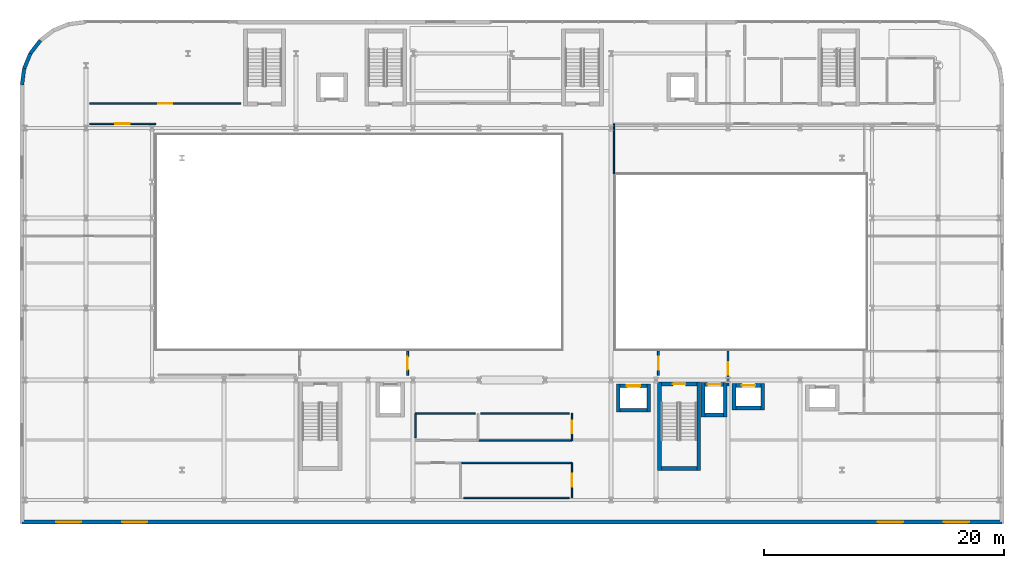
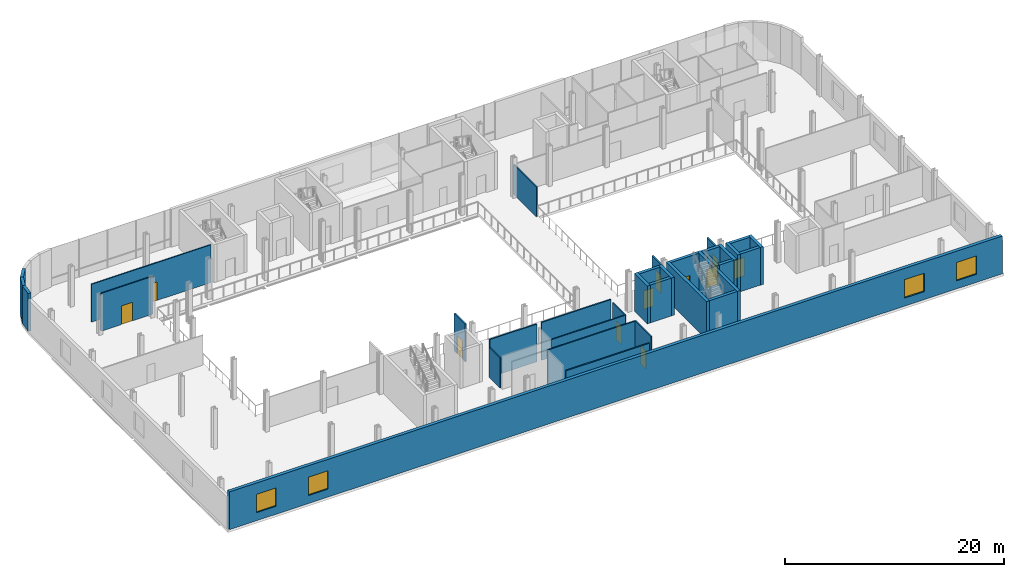
# One storey, part 17 of 25: 34 walls, 11 doors, 4 windows, 15 openings.
"""IFC4 building model written with IfcOpenShell, lengths in metres."""

from ifc_helpers import new_model, si_unit, direction, frame, frame_2d, origin, place, context, subcontext, project, spatial, rectangle, extrude, material, layer, layer_set, type_object, element, fill, save


model = new_model("IFC4")

# Units and contexts
model_context = context("Model", 3, precision=1e-05, world=origin(), true_north=direction((0.0, 1.0)))
body_context = subcontext(model_context, "Body", "Model", "MODEL_VIEW")
ifc_project = project(units=[si_unit("LENGTHUNIT", "METRE"), si_unit("AREAUNIT", "SQUARE_METRE"), si_unit("VOLUMEUNIT", "CUBIC_METRE"), si_unit("PLANEANGLEUNIT", "RADIAN"), si_unit("MASSUNIT", "GRAM", prefix="KILO")], contexts=[model_context])

# Site, building, storey
site_placement = place(None, origin())
site = spatial("IfcSite", under=ifc_project, at=site_placement, CompositionType="ELEMENT")
building_placement = place(site_placement, origin())
building = spatial("IfcBuilding", under=site, at=building_placement, Name="Brevholm Reach", CompositionType="ELEMENT")
storey_placement = place(building_placement, frame((0.0, 0.0, 9.0)))
storey = spatial("IfcBuildingStorey", under=building, at=storey_placement, Name="L02", CompositionType="ELEMENT", Elevation=9.0)

# Walls
ifc_material_1 = material(Name="Concrete C60/75", Category="concrete")
ifc_layer_1 = layer(ifc_material_1, 0.320068359375)
ifc_layer_set_1 = layer_set([ifc_layer_1], Name="Concrete C60/75")
wall_type_1 = type_object("IfcWallType", Name="WAL-COR-320", PredefinedType="SHEAR", material=ifc_layer_set_1)
for number, where, z_axis, x_axis, name in (
    (1, (42.2900390625, 2.4599609375, 0.0), (0.0, 0.0, 1.0), (0.0, 1.0, 0.0), "L02 Escape Stair ST-2 Core Wall W"),
    (2, (45.56005859375, 2.4599609375, 0.0), (0.0, 0.0, 1.0), (0.0, 1.0, 0.0), "L02 Escape Stair ST-2 Core Wall E"),
):
    element("IfcWall", number, at=place(storey_placement, frame(where, z_axis=z_axis, x_axis=x_axis)), inside=storey, type_object=wall_type_1, Name=name, PredefinedType="SHEAR", context=body_context, shape_type="SweptSolid", body=[
        extrude(rectangle(XDim=7.360107421875, YDim=0.320068359375, at=frame_2d((3.68017578125, 0.0))), origin(), (0.0, 0.0, 1.0), 4.219970703125),
    ])
wall_1_placement = place(storey_placement, frame((42.449951171875, 2.6201171875, 0.0), z_axis=(0.0, 0.0, 1.0), x_axis=(1.0, 0.0, 0.0)))
element("IfcWall", 3, at=wall_1_placement, inside=storey, type_object=wall_type_1, Name="L02 Escape Stair ST-2 Core Wall S", PredefinedType="SHEAR", context=body_context, shape_type="SweptSolid", body=[
    extrude(rectangle(XDim=2.949951171875, YDim=0.320068359375, at=frame_2d((1.47509765625, 0.0))), origin(), (0.0, 0.0, 1.0), 4.219970703125),
])

# Wall, opening, door
wall_2_placement = place(storey_placement, frame((45.39990234375, 9.659912109375, 0.0), z_axis=(0.0, 0.0, 1.0), x_axis=(-1.0, 0.0, 0.0)))
wall_2 = element("IfcWall", 4, at=wall_2_placement, inside=storey, type_object=wall_type_1, Name="L02 Escape Stair ST-2 Core Wall N", PredefinedType="SHEAR", context=body_context, shape_type="SweptSolid", body=[
    extrude(rectangle(XDim=2.949951171875, YDim=0.320068359375, at=frame_2d((1.47509765625, 0.0))), origin(), (0.0, 0.0, 1.0), 4.219970703125),
])
opening_1_placement = place(wall_2_placement, frame((0.949951171875, 0.0, 0.0)))
opening_1 = element("IfcOpeningElement", 5, at=opening_1_placement, cuts=wall_2, Name="Opening SD-ST-2", PredefinedType="OPENING", context=body_context, shape_type="SweptSolid", body=[
    extrude(rectangle(XDim=1.050048828125, YDim=2.06005859375, at=frame_2d((0.52490234375, 1.030029296875))), frame((0.0, 0.169921875, 0.0), z_axis=(0.0, -1.0, 0.0), x_axis=(1.0, 0.0, 0.0)), (0.0, 0.0, 1.0), 0.340087890625),
])
ifc_material_2 = material(Name="Hardwood-Lipped Steel-Core Fire and Smoke Door", Category="steel")
door_type_1 = type_object("IfcDoorType", Name="DOR-INT-FD60S", OperationType="NOTDEFINED", PredefinedType="DOOR", material=ifc_material_2)
door_1_placement = place(opening_1_placement, origin())
door_1 = element("IfcDoor", 6, at=door_1_placement, inside=storey, type_object=door_type_1, Name="L02 Protected Stair ST-2 Lobby Door", OperationType="SINGLE_SWING_LEFT", OverallHeight=2.06005859375, OverallWidth=1.050048828125, PredefinedType="DOOR", context=body_context, shape_type="SweptSolid", body=[
    extrude(rectangle(XDim=1.050048828125, YDim=2.06005859375, at=frame_2d((0.52490234375, 1.030029296875))), frame((0.0, 0.02490234375, 0.0), z_axis=(0.0, -1.0, 0.0), x_axis=(1.0, 0.0, 0.0)), (0.0, 0.0, 1.0), 0.050048828125),
])
fill(opening_1, door_1)

# Walls
for number, where, z_axis, x_axis, name in (
    (7, (45.929931640625, 6.919921875, 0.0), (0.0, 0.0, 1.0), (0.0, 1.0, 0.0), "L02 Lift FFL-2 Shaft Wall W"),
    (8, (47.77001953125, 6.919921875, 0.0), (0.0, 0.0, 1.0), (0.0, 1.0, 0.0), "L02 Lift FFL-2 Shaft Wall E"),
):
    element("IfcWall", number, at=place(storey_placement, frame(where, z_axis=z_axis, x_axis=x_axis)), inside=storey, type_object=wall_type_1, Name=name, PredefinedType="SHEAR", context=body_context, shape_type="SweptSolid", body=[
        extrude(rectangle(XDim=2.860107421875, YDim=0.320068359375, at=frame_2d((1.43017578125, 0.0))), origin(), (0.0, 0.0, 1.0), 4.219970703125),
    ])
wall_3_placement = place(storey_placement, frame((46.090087890625, 7.080078125, 0.0), z_axis=(0.0, 0.0, 1.0), x_axis=(1.0, 0.0, 0.0)))
element("IfcWall", 9, at=wall_3_placement, inside=storey, type_object=wall_type_1, Name="L02 Lift FFL-2 Shaft Wall S", PredefinedType="SHEAR", context=body_context, shape_type="SweptSolid", body=[
    extrude(rectangle(XDim=1.52001953125, YDim=0.320068359375, at=frame_2d((0.760009765625, 0.0))), origin(), (0.0, 0.0, 1.0), 4.219970703125),
])

# Wall, opening, door
wall_4_placement = place(storey_placement, frame((46.090087890625, 9.6201171875, 0.0), z_axis=(0.0, 0.0, 1.0), x_axis=(1.0, 0.0, 0.0)))
wall_4 = element("IfcWall", 10, at=wall_4_placement, inside=storey, type_object=wall_type_1, Name="L02 Lift FFL-2 Shaft Wall N", PredefinedType="SHEAR", context=body_context, shape_type="SweptSolid", body=[
    extrude(rectangle(XDim=1.52001953125, YDim=0.320068359375, at=frame_2d((0.760009765625, 0.0))), origin(), (0.0, 0.0, 1.0), 4.219970703125),
])
opening_2_placement = place(wall_4_placement, frame((0.2099609375, 0.0, 0.0)))
opening_2 = element("IfcOpeningElement", 11, at=opening_2_placement, cuts=wall_4, Name="Opening LD-FFL-2", PredefinedType="OPENING", context=body_context, shape_type="SweptSolid", body=[
    extrude(rectangle(XDim=1.10009765625, YDim=2.06005859375, at=frame_2d((0.550048828125, 1.030029296875))), frame((0.0, 0.169921875, 0.0), z_axis=(0.0, -1.0, 0.0), x_axis=(1.0, 0.0, 0.0)), (0.0, 0.0, 1.0), 0.340087890625),
])
ifc_material_3 = material(Name="Brushed Stainless Steel Fire-Rated Sliding Lift Door", Category="steel")
door_type_2 = type_object("IfcDoorType", Name="DOR-LFT-1100", OperationType="NOTDEFINED", PredefinedType="DOOR", material=ifc_material_3)
door_2_placement = place(opening_2_placement, origin())
door_2 = element("IfcDoor", 12, at=door_2_placement, inside=storey, type_object=door_type_2, Name="L02 Lift FFL-2 Sliding Landing Door", OperationType="SLIDING_TO_LEFT", OverallHeight=2.06005859375, OverallWidth=1.10009765625, PredefinedType="DOOR", context=body_context, shape_type="SweptSolid", body=[
    extrude(rectangle(XDim=1.10009765625, YDim=2.06005859375, at=frame_2d((0.550048828125, 1.030029296875))), frame((0.0, 0.02490234375, 0.0), z_axis=(0.0, -1.0, 0.0), x_axis=(1.0, 0.0, 0.0)), (0.0, 0.0, 1.0), 0.050048828125),
])
fill(opening_2, door_2)

# Walls
for number, where, z_axis, x_axis, name in (
    (13, (48.5048828125, 7.4951171875, 0.0), (0.0, 0.0, 1.0), (0.0, 1.0, 0.0), "L02 Lift PL-L1 Shaft Wall W"),
    (14, (50.89501953125, 7.4951171875, 0.0), (0.0, 0.0, 1.0), (0.0, 1.0, 0.0), "L02 Lift PL-L1 Shaft Wall E"),
):
    element("IfcWall", number, at=place(storey_placement, frame(where, z_axis=z_axis, x_axis=x_axis)), inside=storey, type_object=wall_type_1, Name=name, PredefinedType="SHEAR", context=body_context, shape_type="SweptSolid", body=[
        extrude(rectangle(XDim=2.2099609375, YDim=0.320068359375, at=frame_2d((1.10498046875, 0.0))), origin(), (0.0, 0.0, 1.0), 4.219970703125),
    ])
wall_5_placement = place(storey_placement, frame((48.6650390625, 7.655029296875, 0.0), z_axis=(0.0, 0.0, 1.0), x_axis=(1.0, 0.0, 0.0)))
element("IfcWall", 15, at=wall_5_placement, inside=storey, type_object=wall_type_1, Name="L02 Lift PL-L1 Shaft Wall S", PredefinedType="SHEAR", context=body_context, shape_type="SweptSolid", body=[
    extrude(rectangle(XDim=2.070068359375, YDim=0.320068359375, at=frame_2d((1.03515625, 0.0))), origin(), (0.0, 0.0, 1.0), 4.219970703125),
])

# Wall, opening, door
wall_6_placement = place(storey_placement, frame((48.6650390625, 9.544921875, 0.0), z_axis=(0.0, 0.0, 1.0), x_axis=(1.0, 0.0, 0.0)))
wall_6 = element("IfcWall", 16, at=wall_6_placement, inside=storey, type_object=wall_type_1, Name="L02 Lift PL-L1 Shaft Wall N", PredefinedType="SHEAR", context=body_context, shape_type="SweptSolid", body=[
    extrude(rectangle(XDim=2.070068359375, YDim=0.320068359375, at=frame_2d((1.03515625, 0.0))), origin(), (0.0, 0.0, 1.0), 4.219970703125),
])
opening_3_placement = place(wall_6_placement, frame((0.485107421875, 0.0, 0.0)))
opening_3 = element("IfcOpeningElement", 17, at=opening_3_placement, cuts=wall_6, Name="Opening LD-PL-L1", PredefinedType="OPENING", context=body_context, shape_type="SweptSolid", body=[
    extrude(rectangle(XDim=1.10009765625, YDim=2.06005859375, at=frame_2d((0.550048828125, 1.030029296875))), frame((0.0, 0.169921875, 0.0), z_axis=(0.0, -1.0, 0.0), x_axis=(1.0, 0.0, 0.0)), (0.0, 0.0, 1.0), 0.340087890625),
])
door_3_placement = place(opening_3_placement, origin())
door_3 = element("IfcDoor", 18, at=door_3_placement, inside=storey, type_object=door_type_2, Name="L02 Lift PL-L1 Sliding Landing Door", OperationType="SLIDING_TO_RIGHT", OverallHeight=2.06005859375, OverallWidth=1.10009765625, PredefinedType="DOOR", context=body_context, shape_type="SweptSolid", body=[
    extrude(rectangle(XDim=1.10009765625, YDim=2.06005859375, at=frame_2d((0.550048828125, 1.030029296875))), frame((0.0, 0.02490234375, 0.0), z_axis=(0.0, -1.0, 0.0), x_axis=(1.0, 0.0, 0.0)), (0.0, 0.0, 1.0), 0.050048828125),
])
fill(opening_3, door_3)

# Walls
for number, where, z_axis, x_axis, name in (
    (19, (38.85009765625, 7.320068359375, 0.0), (0.0, 0.0, 1.0), (0.0, 1.0, 0.0), "L02 Lift PL-S1 Shaft Wall W"),
    (20, (41.389892578125, 7.320068359375, 0.0), (0.0, 0.0, 1.0), (0.0, 1.0, 0.0), "L02 Lift PL-S1 Shaft Wall E"),
):
    element("IfcWall", number, at=place(storey_placement, frame(where, z_axis=z_axis, x_axis=x_axis)), inside=storey, type_object=wall_type_1, Name=name, PredefinedType="SHEAR", context=body_context, shape_type="SweptSolid", body=[
        extrude(rectangle(XDim=2.35986328125, YDim=0.320068359375, at=frame_2d((1.179931640625, 0.0))), origin(), (0.0, 0.0, 1.0), 4.219970703125),
    ])
wall_7_placement = place(storey_placement, frame((39.010009765625, 7.47998046875, 0.0), z_axis=(0.0, 0.0, 1.0), x_axis=(1.0, 0.0, 0.0)))
element("IfcWall", 21, at=wall_7_placement, inside=storey, type_object=wall_type_1, Name="L02 Lift PL-S1 Shaft Wall S", PredefinedType="SHEAR", context=body_context, shape_type="SweptSolid", body=[
    extrude(rectangle(XDim=2.219970703125, YDim=0.320068359375, at=frame_2d((1.10986328125, 0.0))), origin(), (0.0, 0.0, 1.0), 4.219970703125),
])

# Wall, opening, door
wall_8_placement = place(storey_placement, frame((39.010009765625, 9.52001953125, 0.0), z_axis=(0.0, 0.0, 1.0), x_axis=(1.0, 0.0, 0.0)))
wall_8 = element("IfcWall", 22, at=wall_8_placement, inside=storey, type_object=wall_type_1, Name="L02 Lift PL-S1 Shaft Wall N", PredefinedType="SHEAR", context=body_context, shape_type="SweptSolid", body=[
    extrude(rectangle(XDim=2.219970703125, YDim=0.320068359375, at=frame_2d((1.10986328125, 0.0))), origin(), (0.0, 0.0, 1.0), 4.219970703125),
])
opening_4_placement = place(wall_8_placement, frame((0.56005859375, 0.0, 0.0)))
opening_4 = element("IfcOpeningElement", 23, at=opening_4_placement, cuts=wall_8, Name="Opening LD-PL-S1", PredefinedType="OPENING", context=body_context, shape_type="SweptSolid", body=[
    extrude(rectangle(XDim=1.10009765625, YDim=2.06005859375, at=frame_2d((0.550048828125, 1.030029296875))), frame((0.0, 0.169921875, 0.0), z_axis=(0.0, -1.0, 0.0), x_axis=(1.0, 0.0, 0.0)), (0.0, 0.0, 1.0), 0.340087890625),
])
door_4_placement = place(opening_4_placement, origin())
door_4 = element("IfcDoor", 24, at=door_4_placement, inside=storey, type_object=door_type_2, Name="L02 Lift PL-S1 Sliding Landing Door", OperationType="SLIDING_TO_RIGHT", OverallHeight=2.06005859375, OverallWidth=1.10009765625, PredefinedType="DOOR", context=body_context, shape_type="SweptSolid", body=[
    extrude(rectangle(XDim=1.10009765625, YDim=2.06005859375, at=frame_2d((0.550048828125, 1.030029296875))), frame((0.0, 0.02490234375, 0.0), z_axis=(0.0, -1.0, 0.0), x_axis=(1.0, 0.0, 0.0)), (0.0, 0.0, 1.0), 0.050048828125),
])
fill(opening_4, door_4)

# Walls
ifc_material_4 = material(Name="Concrete C40/50", Category="concrete")
ifc_layer_2 = layer(ifc_material_4, 0.300048828125)
ifc_layer_set_2 = layer_set([ifc_layer_2], Name="Concrete C40/50")
wall_type_2 = type_object("IfcWallType", Name="WAL-EXT-300", PredefinedType="STANDARD", material=ifc_layer_set_2)
wall_9_placement = place(storey_placement, frame((-10.830078125, 34.60009765625, 0.0), z_axis=(0.0, 0.0, 1.0), x_axis=(0.13054703207, 0.991442117533, 0.0)))
element("IfcWall", 25, at=wall_9_placement, inside=storey, type_object=wall_type_2, Name="L02 Facade Wall WAL-L02-NWP-1", PredefinedType="STANDARD", context=body_context, shape_type="SweptSolid", body=[
    extrude(rectangle(XDim=1.365234375, YDim=0.300048828125, at=frame_2d((0.6826171875, 0.0))), origin(), (0.0, 0.0, 1.0), 4.219970703125),
])
wall_10_placement = place(storey_placement, frame((-10.65185546875, 35.95361328125, 0.0), z_axis=(0.0, 0.0, 1.0), x_axis=(0.382646577594, 0.923894797396, 0.0)))
element("IfcWall", 26, at=wall_10_placement, inside=storey, type_object=wall_type_2, Name="L02 Facade Wall WAL-L02-NWP-2", PredefinedType="STANDARD", context=body_context, shape_type="SweptSolid", body=[
    extrude(rectangle(XDim=1.365478515625, YDim=0.300048828125, at=frame_2d((0.6826171875, 0.0))), origin(), (0.0, 0.0, 1.0), 4.219970703125),
])
wall_11_placement = place(storey_placement, frame((-10.12939453125, 37.215087890625, 0.0), z_axis=(0.0, 0.0, 1.0), x_axis=(0.6088894473, 0.793255091989, 0.0)))
element("IfcWall", 27, at=wall_11_placement, inside=storey, type_object=wall_type_2, Name="L02 Facade Wall WAL-L02-NWP-3", PredefinedType="STANDARD", context=body_context, shape_type="SweptSolid", body=[
    extrude(rectangle(XDim=1.365234375, YDim=0.300048828125, at=frame_2d((0.6826171875, 0.0))), origin(), (0.0, 0.0, 1.0), 4.219970703125),
])

# Wall, openings, windows
ifc_material_5 = material(Name="Concrete C40/50", Category="concrete")
ifc_layer_3 = layer(ifc_material_5, 0.340087890625)
ifc_layer_set_3 = layer_set([ifc_layer_3], Name="Concrete C40/50")
wall_type_3 = type_object("IfcWallType", Name="WAL-EXT-340", PredefinedType="STANDARD", material=ifc_layer_set_3)
wall_12_placement = place(storey_placement, frame((-10.830078125, -1.830078125, 0.0), z_axis=(0.0, 0.0, 1.0), x_axis=(1.0, 0.0, 0.0)))
wall_12 = element("IfcWall", 28, at=wall_12_placement, inside=storey, type_object=wall_type_3, Name="L02 Facade Wall WAL-L02-S", PredefinedType="STANDARD", context=body_context, shape_type="SweptSolid", body=[
    extrude(rectangle(XDim=81.66015625, YDim=0.340087890625, at=frame_2d((40.830078125, 0.0))), origin(), (0.0, 0.0, 1.0), 4.219970703125),
])
opening_5_placement = place(wall_12_placement, frame((2.830078125, 0.0, 0.89990234375)))
opening_5 = element("IfcOpeningElement", 29, at=opening_5_placement, cuts=wall_12, Name="Opening WN-02", PredefinedType="OPENING", context=body_context, shape_type="SweptSolid", body=[
    extrude(rectangle(XDim=2.10009765625, YDim=2.050048828125, at=frame_2d((1.050048828125, 1.02490234375))), frame((0.0, 0.179931640625, 0.0), z_axis=(0.0, -1.0, 0.0), x_axis=(1.0, 0.0, 0.0)), (0.0, 0.0, 1.0), 0.360107421875),
])
opening_6_placement = place(wall_12_placement, frame((8.330078125, 0.0, 0.89990234375)))
opening_6 = element("IfcOpeningElement", 30, at=opening_6_placement, cuts=wall_12, Name="Opening WN-02", PredefinedType="OPENING", context=body_context, shape_type="SweptSolid", body=[
    extrude(rectangle(XDim=2.10009765625, YDim=2.050048828125, at=frame_2d((1.050048828125, 1.02490234375))), frame((0.0, 0.179931640625, 0.0), z_axis=(0.0, -1.0, 0.0), x_axis=(1.0, 0.0, 0.0)), (0.0, 0.0, 1.0), 0.360107421875),
])
opening_7_placement = place(wall_12_placement, frame((71.330078125, 0.0, 0.89990234375)))
opening_7 = element("IfcOpeningElement", 31, at=opening_7_placement, cuts=wall_12, Name="Opening WN-02", PredefinedType="OPENING", context=body_context, shape_type="SweptSolid", body=[
    extrude(rectangle(XDim=2.10009765625, YDim=2.050048828125, at=frame_2d((1.050048828125, 1.02490234375))), frame((0.0, 0.179931640625, 0.0), z_axis=(0.0, -1.0, 0.0), x_axis=(1.0, 0.0, 0.0)), (0.0, 0.0, 1.0), 0.360107421875),
])
opening_8_placement = place(wall_12_placement, frame((76.830078125, 0.0, 0.89990234375)))
opening_8 = element("IfcOpeningElement", 32, at=opening_8_placement, cuts=wall_12, Name="Opening WN-02", PredefinedType="OPENING", context=body_context, shape_type="SweptSolid", body=[
    extrude(rectangle(XDim=2.10009765625, YDim=2.050048828125, at=frame_2d((1.050048828125, 1.02490234375))), frame((0.0, 0.179931640625, 0.0), z_axis=(0.0, -1.0, 0.0), x_axis=(1.0, 0.0, 0.0)), (0.0, 0.0, 1.0), 0.360107421875),
])
ifc_material_6 = material(Name="Dark Anodised Aluminium and Solar-Control IGU Glass", Category="aluminium")
window_type = type_object("IfcWindowType", Name="WIN-SCH-2100", PartitioningType="SINGLE_PANEL", PredefinedType="WINDOW", material=ifc_material_6)
window_1_placement = place(opening_5_placement, origin())
window_1 = element("IfcWindow", 33, at=window_1_placement, inside=storey, type_object=window_type, Name="L02 Window WIN-L02-S-1", OverallHeight=2.050048828125, OverallWidth=2.10009765625, PartitioningType="SINGLE_PANEL", PredefinedType="WINDOW", context=body_context, shape_type="SweptSolid", body=[
    extrude(rectangle(XDim=2.10009765625, YDim=2.050048828125, at=frame_2d((1.050048828125, 1.02490234375))), frame((0.0, 0.030029296875, 0.0), z_axis=(0.0, -1.0, 0.0), x_axis=(1.0, 0.0, 0.0)), (0.0, 0.0, 1.0), 0.06005859375),
])
fill(opening_5, window_1)
window_2_placement = place(opening_6_placement, origin())
window_2 = element("IfcWindow", 34, at=window_2_placement, inside=storey, type_object=window_type, Name="L02 Window WIN-L02-S-2", OverallHeight=2.050048828125, OverallWidth=2.10009765625, PartitioningType="SINGLE_PANEL", PredefinedType="WINDOW", context=body_context, shape_type="SweptSolid", body=[
    extrude(rectangle(XDim=2.10009765625, YDim=2.050048828125, at=frame_2d((1.050048828125, 1.02490234375))), frame((0.0, 0.030029296875, 0.0), z_axis=(0.0, -1.0, 0.0), x_axis=(1.0, 0.0, 0.0)), (0.0, 0.0, 1.0), 0.06005859375),
])
fill(opening_6, window_2)
window_3_placement = place(opening_7_placement, origin())
window_3 = element("IfcWindow", 35, at=window_3_placement, inside=storey, type_object=window_type, Name="L02 Window WIN-L02-S-3", OverallHeight=2.050048828125, OverallWidth=2.10009765625, PartitioningType="SINGLE_PANEL", PredefinedType="WINDOW", context=body_context, shape_type="SweptSolid", body=[
    extrude(rectangle(XDim=2.10009765625, YDim=2.050048828125, at=frame_2d((1.050048828125, 1.02490234375))), frame((0.0, 0.030029296875, 0.0), z_axis=(0.0, -1.0, 0.0), x_axis=(1.0, 0.0, 0.0)), (0.0, 0.0, 1.0), 0.06005859375),
])
fill(opening_7, window_3)
window_4_placement = place(opening_8_placement, origin())
window_4 = element("IfcWindow", 36, at=window_4_placement, inside=storey, type_object=window_type, Name="L02 Window WIN-L02-S-4", OverallHeight=2.050048828125, OverallWidth=2.10009765625, PartitioningType="SINGLE_PANEL", PredefinedType="WINDOW", context=body_context, shape_type="SweptSolid", body=[
    extrude(rectangle(XDim=2.10009765625, YDim=2.050048828125, at=frame_2d((1.050048828125, 1.02490234375))), frame((0.0, 0.030029296875, 0.0), z_axis=(0.0, -1.0, 0.0), x_axis=(1.0, 0.0, 0.0)), (0.0, 0.0, 1.0), 0.06005859375),
])
fill(opening_8, window_4)

# Wall, opening, door
ifc_material_7 = material(Name="Acoustic Fire-Rated Classroom Gypsum Partition 120 mm", Category="gypsum")
ifc_layer_4 = layer(ifc_material_7, 0.1201171875)
ifc_layer_set_4 = layer_set([ifc_layer_4], Name="Acoustic Fire-Rated Classroom Gypsum Partition 120 mm")
wall_type_4 = type_object("IfcWallType", Name="WAL-PRT-120", PredefinedType="PARTITIONING", material=ifc_layer_set_4)
wall_13_placement = place(storey_placement, frame((35.0, 0.179931640625, 0.0), z_axis=(0.0, 0.0, 1.0), x_axis=(0.0, 1.0, 0.0)))
wall_13 = element("IfcWall", 37, at=wall_13_placement, inside=storey, type_object=wall_type_4, Name="L02 Internal Partition 001", PredefinedType="PARTITIONING", context=body_context, shape_type="SweptSolid", body=[
    extrude(rectangle(XDim=2.927490234375, YDim=0.1201171875, at=frame_2d((1.4638671875, 0.0))), origin(), (0.0, 0.0, 1.0), 4.219970703125),
])
opening_9_placement = place(wall_13_placement, frame((0.938720703125, 0.0, 0.0)))
opening_9 = element("IfcOpeningElement", 38, at=opening_9_placement, cuts=wall_13, Name="Opening FD-01", PredefinedType="OPENING", context=body_context, shape_type="SweptSolid", body=[
    extrude(rectangle(XDim=1.050048828125, YDim=2.06005859375, at=frame_2d((0.52490234375, 1.030029296875))), frame((0.0, 0.070068359375, 0.0), z_axis=(0.0, -1.0, 0.0), x_axis=(1.0, 0.0, 0.0)), (0.0, 0.0, 1.0), 0.14013671875),
])
door_5_placement = place(opening_9_placement, origin())
door_5 = element("IfcDoor", 39, at=door_5_placement, inside=storey, type_object=door_type_1, Name="L02 Internal Door 001", OperationType="SINGLE_SWING_LEFT", OverallHeight=2.06005859375, OverallWidth=1.050048828125, PredefinedType="DOOR", context=body_context, shape_type="SweptSolid", body=[
    extrude(rectangle(XDim=1.050048828125, YDim=2.06005859375, at=frame_2d((0.52490234375, 1.030029296875))), frame((0.0, 0.02490234375, 0.0), z_axis=(0.0, -1.0, 0.0), x_axis=(1.0, 0.0, 0.0)), (0.0, 0.0, 1.0), 0.050048828125),
])
fill(opening_9, door_5)

wall_14_placement = place(storey_placement, frame((35.0, 4.942626953125, 0.0), z_axis=(0.0, 0.0, 1.0), x_axis=(0.0, 1.0, 0.0)))
wall_14 = element("IfcWall", 40, at=wall_14_placement, inside=storey, type_object=wall_type_4, Name="L02 Internal Partition 002", PredefinedType="PARTITIONING", context=body_context, shape_type="SweptSolid", body=[
    extrude(rectangle(XDim=2.2685546875, YDim=0.1201171875, at=frame_2d((1.13427734375, 0.0))), origin(), (0.0, 0.0, 1.0), 3.738037109375),
])
opening_10_placement = place(wall_14_placement, frame((0.609375, 0.0, 0.0)))
opening_10 = element("IfcOpeningElement", 41, at=opening_10_placement, cuts=wall_14, Name="Opening FD-01", PredefinedType="OPENING", context=body_context, shape_type="SweptSolid", body=[
    extrude(rectangle(XDim=1.050048828125, YDim=2.06005859375, at=frame_2d((0.52490234375, 1.030029296875))), frame((0.0, 0.070068359375, 0.0), z_axis=(0.0, -1.0, 0.0), x_axis=(1.0, 0.0, 0.0)), (0.0, 0.0, 1.0), 0.14013671875),
])
door_6_placement = place(opening_10_placement, origin())
door_6 = element("IfcDoor", 42, at=door_6_placement, inside=storey, type_object=door_type_1, Name="L02 Internal Door 002", OperationType="SINGLE_SWING_RIGHT", OverallHeight=2.06005859375, OverallWidth=1.050048828125, PredefinedType="DOOR", context=body_context, shape_type="SweptSolid", body=[
    extrude(rectangle(XDim=1.050048828125, YDim=2.06005859375, at=frame_2d((0.52490234375, 1.030029296875))), frame((0.0, 0.02490234375, 0.0), z_axis=(0.0, -1.0, 0.0), x_axis=(1.0, 0.0, 0.0)), (0.0, 0.0, 1.0), 0.050048828125),
])
fill(opening_10, door_6)

# Walls
wall_15_placement = place(storey_placement, frame((25.712646484375, 3.10009765625, 0.0), z_axis=(0.0, 0.0, 1.0), x_axis=(1.0, 0.0, 0.0)))
element("IfcWall", 43, at=wall_15_placement, inside=storey, type_object=wall_type_4, Name="L02 Internal Partition 004", PredefinedType="PARTITIONING", context=body_context, shape_type="SweptSolid", body=[
    extrude(rectangle(XDim=9.283447265625, YDim=0.1201171875, at=frame_2d((4.6416015625, 0.0))), origin(), (0.0, 0.0, 1.0), 4.219970703125),
])
wall_16_placement = place(storey_placement, frame((27.16259765625, 4.949951171875, 0.0), z_axis=(0.0, 0.0, 1.0), x_axis=(1.0, 0.0, 0.0)))
element("IfcWall", 44, at=wall_16_placement, inside=storey, type_object=wall_type_4, Name="L02 Internal Partition 006", PredefinedType="PARTITIONING", context=body_context, shape_type="SweptSolid", body=[
    extrude(rectangle(XDim=7.83349609375, YDim=0.1201171875, at=frame_2d((3.916748046875, 0.0))), origin(), (0.0, 0.0, 1.0), 3.738037109375),
])

# Wall, opening, door
wall_17_placement = place(storey_placement, frame((-5.199951171875, 31.35009765625, 0.0), z_axis=(0.0, 0.0, 1.0), x_axis=(1.0, 0.0, 0.0)))
wall_17 = element("IfcWall", 45, at=wall_17_placement, inside=storey, type_object=wall_type_4, Name="L02 Internal Partition 021", PredefinedType="PARTITIONING", context=body_context, shape_type="SweptSolid", body=[
    extrude(rectangle(XDim=5.51123046875, YDim=0.1201171875, at=frame_2d((2.755615234375, 0.0))), origin(), (0.0, 0.0, 1.0), 4.219970703125),
])
opening_11_placement = place(wall_17_placement, frame((2.15576171875, 0.0, 0.0)))
opening_11 = element("IfcOpeningElement", 46, at=opening_11_placement, cuts=wall_17, Name="Opening ID-SC", PredefinedType="OPENING", context=body_context, shape_type="SweptSolid", body=[
    extrude(rectangle(XDim=1.199951171875, YDim=2.080078125, at=frame_2d((0.60009765625, 1.0400390625))), frame((0.0, 0.070068359375, 0.0), z_axis=(0.0, -1.0, 0.0), x_axis=(1.0, 0.0, 0.0)), (0.0, 0.0, 1.0), 0.14013671875),
])
ifc_material_8 = material(Name="Acoustic European Oak Classroom Vision-Panel Fire Door", Category="timber")
door_type_3 = type_object("IfcDoorType", Name="DOR-SCH-1200", OperationType="NOTDEFINED", PredefinedType="DOOR", material=ifc_material_8)
door_7_placement = place(opening_11_placement, origin())
door_7 = element("IfcDoor", 47, at=door_7_placement, inside=storey, type_object=door_type_3, Name="L02 Internal Door 016", OperationType="SINGLE_SWING_RIGHT", OverallHeight=2.080078125, OverallWidth=1.199951171875, PredefinedType="DOOR", context=body_context, shape_type="SweptSolid", body=[
    extrude(rectangle(XDim=1.199951171875, YDim=2.080078125, at=frame_2d((0.60009765625, 1.0400390625))), frame((0.0, 0.02490234375, 0.0), z_axis=(0.0, -1.0, 0.0), x_axis=(1.0, 0.0, 0.0)), (0.0, 0.0, 1.0), 0.050048828125),
])
fill(opening_11, door_7)

wall_18_placement = place(storey_placement, frame((-5.199951171875, 33.050048828125, 0.0), z_axis=(0.0, 0.0, 1.0), x_axis=(1.0, 0.0, 0.0)))
wall_18 = element("IfcWall", 48, at=wall_18_placement, inside=storey, type_object=wall_type_4, Name="L02 Internal Partition 024", PredefinedType="PARTITIONING", context=body_context, shape_type="SweptSolid", body=[
    extrude(rectangle(XDim=12.611328125, YDim=0.1201171875, at=frame_2d((6.3056640625, 0.0))), origin(), (0.0, 0.0, 1.0), 4.219970703125),
])
opening_12_placement = place(wall_18_placement, frame((5.705810546875, 0.0, 0.0)))
opening_12 = element("IfcOpeningElement", 49, at=opening_12_placement, cuts=wall_18, Name="Opening ID-SC", PredefinedType="OPENING", context=body_context, shape_type="SweptSolid", body=[
    extrude(rectangle(XDim=1.199951171875, YDim=2.080078125, at=frame_2d((0.60009765625, 1.0400390625))), frame((0.0, 0.070068359375, 0.0), z_axis=(0.0, -1.0, 0.0), x_axis=(1.0, 0.0, 0.0)), (0.0, 0.0, 1.0), 0.14013671875),
])
door_8_placement = place(opening_12_placement, origin())
door_8 = element("IfcDoor", 50, at=door_8_placement, inside=storey, type_object=door_type_3, Name="L02 Internal Door 019", OperationType="SINGLE_SWING_LEFT", OverallHeight=2.080078125, OverallWidth=1.199951171875, PredefinedType="DOOR", context=body_context, shape_type="SweptSolid", body=[
    extrude(rectangle(XDim=1.199951171875, YDim=2.080078125, at=frame_2d((0.60009765625, 1.0400390625))), frame((0.0, 0.02490234375, 0.0), z_axis=(0.0, -1.0, 0.0), x_axis=(1.0, 0.0, 0.0)), (0.0, 0.0, 1.0), 0.050048828125),
])
fill(opening_12, door_8)

# Walls
wall_19_placement = place(storey_placement, frame((38.5, 27.199462890625, 0.0), z_axis=(0.0, 0.0, 1.0), x_axis=(0.0, 1.0, 0.0)))
element("IfcWall", 51, at=wall_19_placement, inside=storey, type_object=wall_type_4, Name="L02 Internal Partition 026", PredefinedType="PARTITIONING", context=body_context, shape_type="SweptSolid", body=[
    extrude(rectangle(XDim=4.146484375, YDim=0.1201171875, at=frame_2d((2.0732421875, 0.0))), origin(), (0.0, 0.0, 1.0), 3.343994140625),
])
ifc_material_9 = material(Name="Twin-Stud Acoustic Fire-Rated Gypsum Partition 140 mm", Category="gypsum")
ifc_layer_5 = layer(ifc_material_9, 0.139892578125)
ifc_layer_set_5 = layer_set([ifc_layer_5], Name="Twin-Stud Acoustic Fire-Rated Gypsum Partition 140 mm")
wall_type_5 = type_object("IfcWallType", Name="WAL-PRT-140", PredefinedType="PARTITIONING", material=ifc_layer_set_5)
wall_20_placement = place(storey_placement, frame((25.9599609375, 0.179931640625, 0.0), z_axis=(0.0, 0.0, 1.0), x_axis=(1.0, 0.0, 0.0)))
element("IfcWall", 52, at=wall_20_placement, inside=storey, type_object=wall_type_5, Name="L02 Internal Partition 041", PredefinedType="PARTITIONING", context=body_context, shape_type="SweptSolid", body=[
    extrude(rectangle(XDim=8.800048828125, YDim=0.139892578125, at=frame_2d((4.39990234375, 0.0))), origin(), (0.0, 0.0, 1.0), 3.582763671875),
])
wall_21_placement = place(storey_placement, frame((21.949951171875, 7.199951171875, 0.0), z_axis=(0.0, 0.0, 1.0), x_axis=(1.0, 0.0, 0.0)))
element("IfcWall", 53, at=wall_21_placement, inside=storey, type_object=wall_type_5, Name="L02 Internal Partition 042", PredefinedType="PARTITIONING", context=body_context, shape_type="SweptSolid", body=[
    extrude(rectangle(XDim=4.97998046875, YDim=0.139892578125, at=frame_2d((2.489990234375, 0.0))), origin(), (0.0, 0.0, 1.0), 4.219970703125),
])
wall_22_placement = place(storey_placement, frame((21.949951171875, 5.18994140625, 0.0), z_axis=(0.0, 0.0, 1.0), x_axis=(0.0, 1.0, 0.0)))
element("IfcWall", 54, at=wall_22_placement, inside=storey, type_object=wall_type_5, Name="L02 Internal Partition 043", PredefinedType="PARTITIONING", context=body_context, shape_type="SweptSolid", body=[
    extrude(rectangle(XDim=2.010009765625, YDim=0.139892578125, at=frame_2d((1.0048828125, 0.0))), origin(), (0.0, 0.0, 1.0), 3.343994140625),
])
wall_23_placement = place(storey_placement, frame((27.409912109375, 7.199951171875, 0.0), z_axis=(0.0, 0.0, 1.0), x_axis=(1.0, 0.0, 0.0)))
element("IfcWall", 55, at=wall_23_placement, inside=storey, type_object=wall_type_5, Name="L02 Internal Partition 044", PredefinedType="PARTITIONING", context=body_context, shape_type="SweptSolid", body=[
    extrude(rectangle(XDim=7.35009765625, YDim=0.139892578125, at=frame_2d((3.675048828125, 0.0))), origin(), (0.0, 0.0, 1.0), 4.219970703125),
])

# Wall, opening, door
ifc_material_10 = material(Name="Twin-Frame Fire-Rated Gypsum Board and Mineral Wool 160 mm", Category="gypsum")
ifc_layer_6 = layer(ifc_material_10, 0.159912109375)
ifc_layer_set_6 = layer_set([ifc_layer_6], Name="Twin-Frame Fire-Rated Gypsum Board and Mineral Wool 160 mm")
wall_type_6 = type_object("IfcWallType", Name="WAL-PRT-160", PredefinedType="PARTITIONING", material=ifc_layer_set_6)
wall_24_placement = place(storey_placement, frame((21.300048828125, 10.388671875, 0.0), z_axis=(0.0, 0.0, 1.0), x_axis=(0.0, 1.0, 0.0)))
wall_24 = element("IfcWall", 56, at=wall_24_placement, inside=storey, type_object=wall_type_6, Name="L02 Internal Partition 010", PredefinedType="PARTITIONING", context=body_context, shape_type="SweptSolid", body=[
    extrude(rectangle(XDim=2.01123046875, YDim=0.159912109375, at=frame_2d((1.005615234375, 0.0))), origin(), (0.0, 0.0, 1.0), 4.219970703125),
])
opening_13_placement = place(wall_24_placement, frame((0.480712890625, 0.0, 0.0)))
opening_13 = element("IfcOpeningElement", 57, at=opening_13_placement, cuts=wall_24, Name="Opening FD-01", PredefinedType="OPENING", context=body_context, shape_type="SweptSolid", body=[
    extrude(rectangle(XDim=1.050048828125, YDim=2.06005859375, at=frame_2d((0.52490234375, 1.030029296875))), frame((0.0, 0.08984375, 0.0), z_axis=(0.0, -1.0, 0.0), x_axis=(1.0, 0.0, 0.0)), (0.0, 0.0, 1.0), 0.179931640625),
])
door_9_placement = place(opening_13_placement, origin())
door_9 = element("IfcDoor", 58, at=door_9_placement, inside=storey, type_object=door_type_1, Name="L02 Internal Door 006", OperationType="SINGLE_SWING_RIGHT", OverallHeight=2.06005859375, OverallWidth=1.050048828125, PredefinedType="DOOR", context=body_context, shape_type="SweptSolid", body=[
    extrude(rectangle(XDim=1.050048828125, YDim=2.06005859375, at=frame_2d((0.52490234375, 1.030029296875))), frame((0.0, 0.02490234375, 0.0), z_axis=(0.0, -1.0, 0.0), x_axis=(1.0, 0.0, 0.0)), (0.0, 0.0, 1.0), 0.050048828125),
])
fill(opening_13, door_9)

wall_25_placement = place(storey_placement, frame((42.199951171875, 10.388671875, 0.0), z_axis=(0.0, 0.0, 1.0), x_axis=(0.0, 1.0, 0.0)))
wall_25 = element("IfcWall", 59, at=wall_25_placement, inside=storey, type_object=wall_type_6, Name="L02 Internal Partition 011", PredefinedType="PARTITIONING", context=body_context, shape_type="SweptSolid", body=[
    extrude(rectangle(XDim=2.01123046875, YDim=0.159912109375, at=frame_2d((1.005615234375, 0.0))), origin(), (0.0, 0.0, 1.0), 3.343994140625),
])
opening_14_placement = place(wall_25_placement, frame((0.480712890625, 0.0, 0.0)))
opening_14 = element("IfcOpeningElement", 60, at=opening_14_placement, cuts=wall_25, Name="Opening FD-01", PredefinedType="OPENING", context=body_context, shape_type="SweptSolid", body=[
    extrude(rectangle(XDim=1.050048828125, YDim=2.06005859375, at=frame_2d((0.52490234375, 1.030029296875))), frame((0.0, 0.08984375, 0.0), z_axis=(0.0, -1.0, 0.0), x_axis=(1.0, 0.0, 0.0)), (0.0, 0.0, 1.0), 0.179931640625),
])
door_10_placement = place(opening_14_placement, origin())
door_10 = element("IfcDoor", 61, at=door_10_placement, inside=storey, type_object=door_type_1, Name="L02 Internal Door 007", OperationType="SINGLE_SWING_LEFT", OverallHeight=2.06005859375, OverallWidth=1.050048828125, PredefinedType="DOOR", context=body_context, shape_type="SweptSolid", body=[
    extrude(rectangle(XDim=1.050048828125, YDim=2.06005859375, at=frame_2d((0.52490234375, 1.030029296875))), frame((0.0, 0.02490234375, 0.0), z_axis=(0.0, -1.0, 0.0), x_axis=(1.0, 0.0, 0.0)), (0.0, 0.0, 1.0), 0.050048828125),
])
fill(opening_14, door_10)

wall_26_placement = place(storey_placement, frame((48.0, 9.5, 0.0), z_axis=(0.0, 0.0, 1.0), x_axis=(0.0, 1.0, 0.0)))
wall_26 = element("IfcWall", 62, at=wall_26_placement, inside=storey, type_object=wall_type_6, Name="L02 Internal Partition 012", PredefinedType="PARTITIONING", context=body_context, shape_type="SweptSolid", body=[
    extrude(rectangle(XDim=2.89990234375, YDim=0.159912109375, at=frame_2d((1.449951171875, 0.0))), origin(), (0.0, 0.0, 1.0), 3.343994140625),
])
opening_15_placement = place(wall_26_placement, frame((0.925048828125, 0.0, 0.0)))
opening_15 = element("IfcOpeningElement", 63, at=opening_15_placement, cuts=wall_26, Name="Opening FD-01", PredefinedType="OPENING", context=body_context, shape_type="SweptSolid", body=[
    extrude(rectangle(XDim=1.050048828125, YDim=2.06005859375, at=frame_2d((0.52490234375, 1.030029296875))), frame((0.0, 0.08984375, 0.0), z_axis=(0.0, -1.0, 0.0), x_axis=(1.0, 0.0, 0.0)), (0.0, 0.0, 1.0), 0.179931640625),
])
door_11_placement = place(opening_15_placement, origin())
door_11 = element("IfcDoor", 64, at=door_11_placement, inside=storey, type_object=door_type_1, Name="L02 Internal Door 008", OperationType="SINGLE_SWING_RIGHT", OverallHeight=2.06005859375, OverallWidth=1.050048828125, PredefinedType="DOOR", context=body_context, shape_type="SweptSolid", body=[
    extrude(rectangle(XDim=1.050048828125, YDim=2.06005859375, at=frame_2d((0.52490234375, 1.030029296875))), frame((0.0, 0.02490234375, 0.0), z_axis=(0.0, -1.0, 0.0), x_axis=(1.0, 0.0, 0.0)), (0.0, 0.0, 1.0), 0.050048828125),
])
fill(opening_15, door_11)

save(model, "model.ifc")
